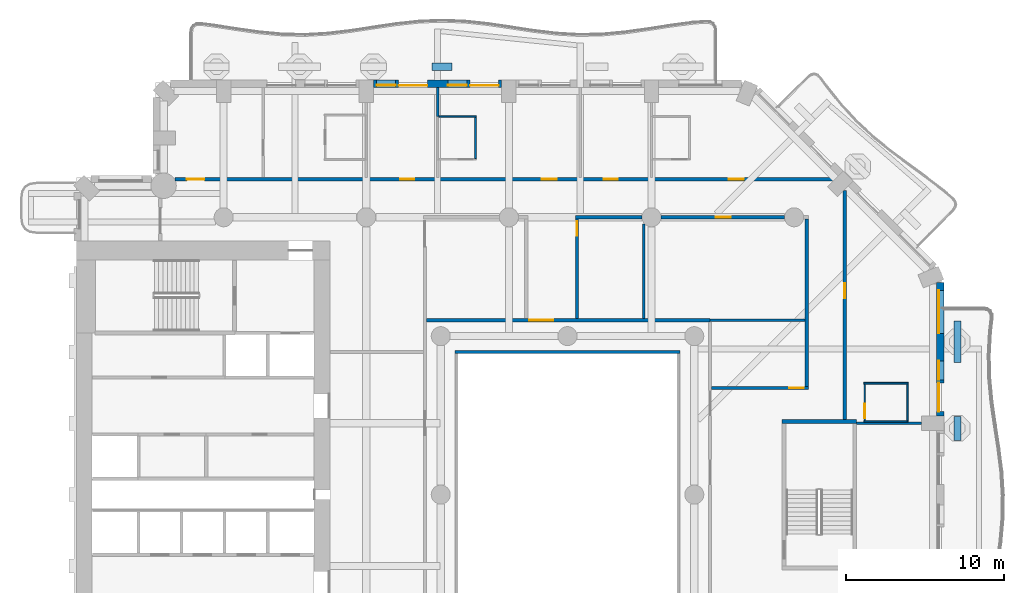
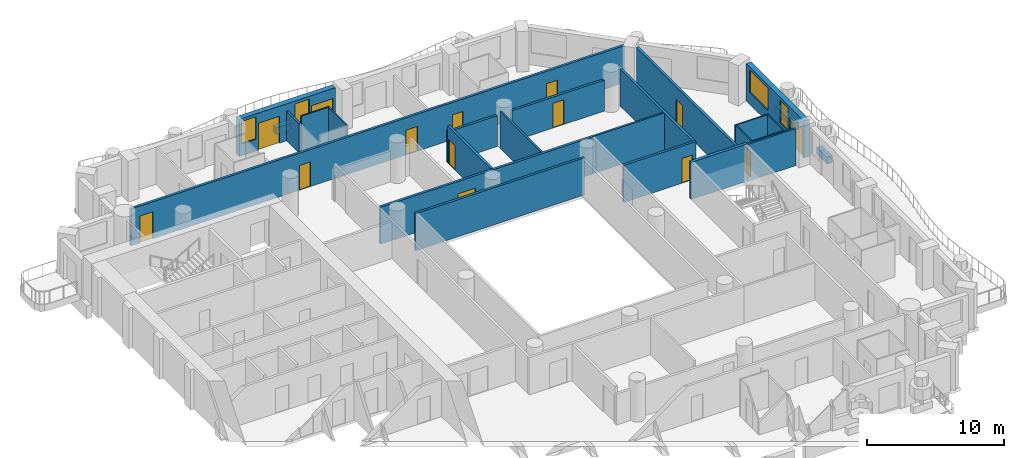
# One storey, part 8 of 19: 25 walls, 14 doors, 4 windows, 18 openings.
"""IFC4 building model written with IfcOpenShell, lengths in metres."""

from ifc_helpers import new_model, si_unit, direction, frame, frame_2d, origin, place, context, subcontext, project, spatial, rectangle, extrude, material, layer, layer_set, type_object, element, fill, save


model = new_model("IFC4")

# Units and contexts
model_context = context("Model", 3, precision=1e-05, world=origin(), true_north=direction((0.0, 1.0)))
body_context = subcontext(model_context, "Body", "Model", "MODEL_VIEW")
ifc_project = project(units=[si_unit("LENGTHUNIT", "METRE"), si_unit("AREAUNIT", "SQUARE_METRE"), si_unit("VOLUMEUNIT", "CUBIC_METRE"), si_unit("PLANEANGLEUNIT", "RADIAN"), si_unit("MASSUNIT", "GRAM", prefix="KILO")], contexts=[model_context])

# Site, building, storey
site_placement = place(None, origin())
site = spatial("IfcSite", under=ifc_project, at=site_placement, CompositionType="ELEMENT")
building_placement = place(site_placement, origin())
building = spatial("IfcBuilding", under=site, at=building_placement, Name="Cypress Arch Tower", CompositionType="ELEMENT")
storey_placement = place(building_placement, frame((0.0, 0.0, 98.699951171875)))
storey = spatial("IfcBuildingStorey", under=building, at=storey_placement, Name="L19", CompositionType="ELEMENT", Elevation=98.699951171875)

# Walls
ifc_material_1 = material(Name="Concrete C40/50, waterproofed", Category="concrete")
ifc_layer_1 = layer(ifc_material_1, 0.449951171875)
ifc_layer_set_1 = layer_set([ifc_layer_1], Name="Balcony planter wall PW450")
wall_type_1 = type_object("IfcWallType", Name="Balcony planter wall PW450", PredefinedType="SOLIDWALL", material=ifc_layer_set_1)
wall_1_placement = place(storey_placement, frame((25.60009765625, 3.42138671875, 0.0), z_axis=(0.0, 0.0, 1.0), x_axis=(0.0, 1.0, 0.0)))
element("IfcWall", 1, at=wall_1_placement, inside=storey, type_object=wall_type_1, Name="Balcony planter wall L19-A06.2", PredefinedType="SOLIDWALL", context=body_context, shape_type="SweptSolid", body=[
    extrude(rectangle(XDim=1.5224609375, YDim=0.449951171875, at=frame_2d((0.76123046875, 0.0))), origin(), (0.0, 0.0, 1.0), 0.60009765625),
])
wall_2_placement = place(storey_placement, frame((25.60009765625, 8.335693359375, 0.0), z_axis=(0.0, 0.0, 1.0), x_axis=(0.0, 1.0, 0.0)))
element("IfcWall", 2, at=wall_2_placement, inside=storey, type_object=wall_type_1, Name="Balcony planter wall L19-A06.3", PredefinedType="SOLIDWALL", context=body_context, shape_type="SweptSolid", body=[
    extrude(rectangle(XDim=2.6142578125, YDim=0.449951171875, at=frame_2d((1.30712890625, 0.0))), origin(), (0.0, 0.0, 1.0), 0.60009765625),
])
wall_3_placement = place(storey_placement, frame((-6.300048828125, 27.0, 0.0), z_axis=(0.0, 0.0, 1.0), x_axis=(-1.0, 0.0, 0.0)))
element("IfcWall", 3, at=wall_3_placement, inside=storey, type_object=wall_type_1, Name="Balcony planter wall L19-A08.3", PredefinedType="SOLIDWALL", context=body_context, shape_type="SweptSolid", body=[
    extrude(rectangle(XDim=1.25, YDim=0.449951171875, at=frame_2d((0.625, 0.0))), origin(), (0.0, 0.0, 1.0), 0.60009765625),
])

# Wall, openings, door, windows
ifc_material_2 = material(Name="Brick (red buff blend)", Category="masonry")
ifc_layer_2 = layer(ifc_material_2, 0.449951171875)
ifc_layer_set_2 = layer_set([ifc_layer_2], Name="Brick pier and spandrel wall BW450")
wall_type_2 = type_object("IfcWallType", Name="Brick pier and spandrel wall BW450", PredefinedType="SOLIDWALL", material=ifc_layer_set_2)
wall_4_placement = place(storey_placement, frame((24.52490234375, 4.949951171875, 0.0), z_axis=(0.0, 0.0, 1.0), x_axis=(0.0, 1.0, 0.0)))
wall_4 = element("IfcWall", 4, at=wall_4_placement, inside=storey, type_object=wall_type_2, Name="Brick wall L19 A06.3", PredefinedType="SOLIDWALL", context=body_context, shape_type="SweptSolid", body=[
    extrude(rectangle(XDim=8.438720703125, YDim=0.449951171875, at=frame_2d((4.21923828125, 0.0))), origin(), (0.0, 0.0, 1.0), 3.300048828125),
])
opening_1_placement = place(wall_4_placement, frame((0.2939453125, 0.0, 0.0)))
opening_1 = element("IfcOpeningElement", 5, at=opening_1_placement, cuts=wall_4, Name="Opening D-L19-A06.3.1", PredefinedType="OPENING", context=body_context, shape_type="SweptSolid", body=[
    extrude(rectangle(XDim=1.800048828125, YDim=2.39990234375, at=frame_2d((0.89990234375, 1.199951171875))), frame((0.0, 0.23486328125, 0.0), z_axis=(0.0, -1.0, 0.0), x_axis=(1.0, 0.0, 0.0)), (0.0, 0.0, 1.0), 0.469970703125),
])
opening_2_placement = place(wall_4_placement, frame((2.2939453125, 0.0, 1.050048828125)))
opening_2 = element("IfcOpeningElement", 6, at=opening_2_placement, cuts=wall_4, Name="Opening W120HD", PredefinedType="OPENING", context=body_context, shape_type="SweptSolid", body=[
    extrude(rectangle(XDim=1.199951171875, YDim=2.0, at=frame_2d((0.60009765625, 1.0))), frame((0.0, 0.23486328125, 0.0), z_axis=(0.0, -1.0, 0.0), x_axis=(1.0, 0.0, 0.0)), (0.0, 0.0, 1.0), 0.469970703125),
])
opening_3_placement = place(wall_4_placement, frame((5.231689453125, 0.0, 1.050048828125)))
opening_3 = element("IfcOpeningElement", 7, at=opening_3_placement, cuts=wall_4, Name="Opening W270HD", PredefinedType="OPENING", context=body_context, shape_type="SweptSolid", body=[
    extrude(rectangle(XDim=2.699951171875, YDim=2.0, at=frame_2d((1.35009765625, 1.0))), frame((0.0, 0.23486328125, 0.0), z_axis=(0.0, -1.0, 0.0), x_axis=(1.0, 0.0, 0.0)), (0.0, 0.0, 1.0), 0.469970703125),
])
ifc_material_3 = material(Name="Anodised aluminium, bronze finish, laminated low-emissivity double glazing, large-missile impact rated", Category="aluminium")
door_type_1 = type_object("IfcDoorType", Name="Balcony sliding door 1800x2400", OperationType="SLIDING_TO_LEFT", PredefinedType="DOOR", material=ifc_material_3)
door_1_placement = place(opening_1_placement, origin())
door_1 = element("IfcDoor", 8, at=door_1_placement, inside=storey, type_object=door_type_1, Name="Balcony door L19 A06.3.1", OperationType="SLIDING_TO_LEFT", OverallHeight=2.39990234375, OverallWidth=1.800048828125, PredefinedType="DOOR", context=body_context, shape_type="SweptSolid", body=[
    extrude(rectangle(XDim=1.800048828125, YDim=2.39990234375, at=frame_2d((0.89990234375, 1.199951171875))), frame((0.0, 0.1298828125, 0.0), z_axis=(0.0, -1.0, 0.0), x_axis=(1.0, 0.0, 0.0)), (0.0, 0.0, 1.0), 0.050048828125),
])
fill(opening_1, door_1)
ifc_material_4 = material(Name="Anodised aluminium, bronze finish, laminated low-emissivity double glazing, large-missile impact rated", Category="aluminium")
window_type_1 = type_object("IfcWindowType", Name="Window Hotel 1200x2000 debris-rated", PartitioningType="SINGLE_PANEL", PredefinedType="WINDOW", material=ifc_material_4)
window_1_placement = place(opening_2_placement, origin())
window_1 = element("IfcWindow", 9, at=window_1_placement, inside=storey, type_object=window_type_1, Name="Window L19 A06.3.1", OverallHeight=2.0, OverallWidth=1.199951171875, PartitioningType="SINGLE_PANEL", PredefinedType="WINDOW", context=body_context, shape_type="SweptSolid", body=[
    extrude(rectangle(XDim=1.199951171875, YDim=2.0, at=frame_2d((0.60009765625, 1.0))), frame((0.0, 0.135009765625, 0.0), z_axis=(0.0, -1.0, 0.0), x_axis=(1.0, 0.0, 0.0)), (0.0, 0.0, 1.0), 0.06005859375),
])
fill(opening_2, window_1)
ifc_material_5 = material(Name="Anodised aluminium, bronze finish, laminated low-emissivity double glazing, large-missile impact rated", Category="aluminium")
window_type_2 = type_object("IfcWindowType", Name="Window Hotel 2700x2000 debris-rated", PartitioningType="SINGLE_PANEL", PredefinedType="WINDOW", material=ifc_material_5)
window_2_placement = place(opening_3_placement, origin())
window_2 = element("IfcWindow", 10, at=window_2_placement, inside=storey, type_object=window_type_2, Name="Window L19 A06.3.2", OverallHeight=2.0, OverallWidth=2.699951171875, PartitioningType="SINGLE_PANEL", PredefinedType="WINDOW", context=body_context, shape_type="SweptSolid", body=[
    extrude(rectangle(XDim=2.699951171875, YDim=2.0, at=frame_2d((1.35009765625, 1.0))), frame((0.0, 0.135009765625, 0.0), z_axis=(0.0, -1.0, 0.0), x_axis=(1.0, 0.0, 0.0)), (0.0, 0.0, 1.0), 0.06005859375),
])
fill(opening_3, window_2)

# Wall, openings, doors, windows
wall_5_placement = place(storey_placement, frame((-3.14990234375, 25.925048828125, 0.0), z_axis=(0.0, 0.0, 1.0), x_axis=(-1.0, 0.0, 0.0)))
wall_5 = element("IfcWall", 11, at=wall_5_placement, inside=storey, type_object=wall_type_2, Name="Brick wall L19 A08.2", PredefinedType="SOLIDWALL", context=body_context, shape_type="SweptSolid", body=[
    extrude(rectangle(XDim=8.10009765625, YDim=0.449951171875, at=frame_2d((4.050048828125, 0.0))), origin(), (0.0, 0.0, 1.0), 3.300048828125),
])
opening_4_placement = place(wall_5_placement, frame((0.199951171875, 0.0, 0.0)))
opening_4 = element("IfcOpeningElement", 12, at=opening_4_placement, cuts=wall_5, Name="Opening D-L19-A08.2.1", PredefinedType="OPENING", context=body_context, shape_type="SweptSolid", body=[
    extrude(rectangle(XDim=1.800048828125, YDim=2.39990234375, at=frame_2d((0.89990234375, 1.199951171875))), frame((0.0, 0.23486328125, 0.0), z_axis=(0.0, -1.0, 0.0), x_axis=(1.0, 0.0, 0.0)), (0.0, 0.0, 1.0), 0.469970703125),
])
opening_5_placement = place(wall_5_placement, frame((2.199951171875, 0.0, 1.050048828125)))
opening_5 = element("IfcOpeningElement", 13, at=opening_5_placement, cuts=wall_5, Name="Opening W120HD", PredefinedType="OPENING", context=body_context, shape_type="SweptSolid", body=[
    extrude(rectangle(XDim=1.199951171875, YDim=2.0, at=frame_2d((0.60009765625, 1.0))), frame((0.0, 0.23486328125, 0.0), z_axis=(0.0, -1.0, 0.0), x_axis=(1.0, 0.0, 0.0)), (0.0, 0.0, 1.0), 0.469970703125),
])
opening_6_placement = place(wall_5_placement, frame((4.699951171875, 0.0, 0.0)))
opening_6 = element("IfcOpeningElement", 14, at=opening_6_placement, cuts=wall_5, Name="Opening D-L19-A08.2.2", PredefinedType="OPENING", context=body_context, shape_type="SweptSolid", body=[
    extrude(rectangle(XDim=1.800048828125, YDim=2.39990234375, at=frame_2d((0.89990234375, 1.199951171875))), frame((0.0, 0.23486328125, 0.0), z_axis=(0.0, -1.0, 0.0), x_axis=(1.0, 0.0, 0.0)), (0.0, 0.0, 1.0), 0.469970703125),
])
opening_7_placement = place(wall_5_placement, frame((6.699951171875, 0.0, 1.050048828125)))
opening_7 = element("IfcOpeningElement", 15, at=opening_7_placement, cuts=wall_5, Name="Opening W120HD", PredefinedType="OPENING", context=body_context, shape_type="SweptSolid", body=[
    extrude(rectangle(XDim=1.199951171875, YDim=2.0, at=frame_2d((0.60009765625, 1.0))), frame((0.0, 0.23486328125, 0.0), z_axis=(0.0, -1.0, 0.0), x_axis=(1.0, 0.0, 0.0)), (0.0, 0.0, 1.0), 0.469970703125),
])
door_2_placement = place(opening_4_placement, origin())
door_2 = element("IfcDoor", 16, at=door_2_placement, inside=storey, type_object=door_type_1, Name="Balcony door L19 A08.2.1", OperationType="SLIDING_TO_LEFT", OverallHeight=2.39990234375, OverallWidth=1.800048828125, PredefinedType="DOOR", context=body_context, shape_type="SweptSolid", body=[
    extrude(rectangle(XDim=1.800048828125, YDim=2.39990234375, at=frame_2d((0.89990234375, 1.199951171875))), frame((0.0, 0.1298828125, 0.0), z_axis=(0.0, -1.0, 0.0), x_axis=(1.0, 0.0, 0.0)), (0.0, 0.0, 1.0), 0.050048828125),
])
fill(opening_4, door_2)
door_3_placement = place(opening_6_placement, origin())
door_3 = element("IfcDoor", 17, at=door_3_placement, inside=storey, type_object=door_type_1, Name="Balcony door L19 A08.2.2", OperationType="SLIDING_TO_LEFT", OverallHeight=2.39990234375, OverallWidth=1.800048828125, PredefinedType="DOOR", context=body_context, shape_type="SweptSolid", body=[
    extrude(rectangle(XDim=1.800048828125, YDim=2.39990234375, at=frame_2d((0.89990234375, 1.199951171875))), frame((0.0, 0.1298828125, 0.0), z_axis=(0.0, -1.0, 0.0), x_axis=(1.0, 0.0, 0.0)), (0.0, 0.0, 1.0), 0.050048828125),
])
fill(opening_6, door_3)
window_3_placement = place(opening_5_placement, origin())
window_3 = element("IfcWindow", 18, at=window_3_placement, inside=storey, type_object=window_type_1, Name="Window L19 A08.2.1", OverallHeight=2.0, OverallWidth=1.199951171875, PartitioningType="SINGLE_PANEL", PredefinedType="WINDOW", context=body_context, shape_type="SweptSolid", body=[
    extrude(rectangle(XDim=1.199951171875, YDim=2.0, at=frame_2d((0.60009765625, 1.0))), frame((0.0, 0.135009765625, 0.0), z_axis=(0.0, -1.0, 0.0), x_axis=(1.0, 0.0, 0.0)), (0.0, 0.0, 1.0), 0.06005859375),
])
fill(opening_5, window_3)
window_4_placement = place(opening_7_placement, origin())
window_4 = element("IfcWindow", 19, at=window_4_placement, inside=storey, type_object=window_type_1, Name="Window L19 A08.2.2", OverallHeight=2.0, OverallWidth=1.199951171875, PartitioningType="SINGLE_PANEL", PredefinedType="WINDOW", context=body_context, shape_type="SweptSolid", body=[
    extrude(rectangle(XDim=1.199951171875, YDim=2.0, at=frame_2d((0.60009765625, 1.0))), frame((0.0, 0.135009765625, 0.0), z_axis=(0.0, -1.0, 0.0), x_axis=(1.0, 0.0, 0.0)), (0.0, 0.0, 1.0), 0.06005859375),
])
fill(opening_7, window_4)

# Wall, openings, doors
ifc_material_6 = material(Name="Concrete blockwork, plastered, rated", Category="masonry")
ifc_layer_3 = layer(ifc_material_6, 0.199951171875)
ifc_layer_set_3 = layer_set([ifc_layer_3], Name="Corridor wall FW200")
wall_type_3 = type_object("IfcWallType", Name="Corridor wall FW200", PredefinedType="PARTITIONING", material=ifc_layer_set_3)
wall_6_placement = place(storey_placement, frame((-23.765380859375, 19.89990234375, 0.0), z_axis=(0.0, 0.0, 1.0), x_axis=(1.0, 0.0, 0.0)))
wall_6 = element("IfcWall", 20, at=wall_6_placement, inside=storey, type_object=wall_type_3, Name="Corridor wall", PredefinedType="PARTITIONING", context=body_context, shape_type="SweptSolid", body=[
    extrude(rectangle(XDim=41.549072265625, YDim=0.199951171875, at=frame_2d((20.7744140625, 0.0))), origin(), (0.0, 0.0, 1.0), 3.300048828125),
])
opening_8_placement = place(wall_6_placement, frame((14.199951171875, 0.0, 0.0)))
opening_8 = element("IfcOpeningElement", 21, at=opening_8_placement, cuts=wall_6, Name="Opening D05", PredefinedType="OPENING", context=body_context, shape_type="SweptSolid", body=[
    extrude(rectangle(XDim=0.89990234375, YDim=2.199951171875, at=frame_2d((0.449951171875, 1.10009765625))), frame((0.0, 0.10986328125, 0.0), z_axis=(0.0, -1.0, 0.0), x_axis=(1.0, 0.0, 0.0)), (0.0, 0.0, 1.0), 0.219970703125),
])
opening_9_placement = place(wall_6_placement, frame((27.050048828125, 0.0, 0.0)))
opening_9 = element("IfcOpeningElement", 22, at=opening_9_placement, cuts=wall_6, Name="Opening D05", PredefinedType="OPENING", context=body_context, shape_type="SweptSolid", body=[
    extrude(rectangle(XDim=0.89990234375, YDim=2.199951171875, at=frame_2d((0.449951171875, 1.10009765625))), frame((0.0, 0.10986328125, 0.0), z_axis=(0.0, -1.0, 0.0), x_axis=(1.0, 0.0, 0.0)), (0.0, 0.0, 1.0), 0.219970703125),
])
opening_10_placement = place(wall_6_placement, frame((0.75, 0.0, 0.0)))
opening_10 = element("IfcOpeningElement", 23, at=opening_10_placement, cuts=wall_6, Name="Opening D01", PredefinedType="OPENING", context=body_context, shape_type="SweptSolid", body=[
    extrude(rectangle(XDim=1.10009765625, YDim=2.39990234375, at=frame_2d((0.550048828125, 1.199951171875))), frame((0.0, 0.10986328125, 0.0), z_axis=(0.0, -1.0, 0.0), x_axis=(1.0, 0.0, 0.0)), (0.0, 0.0, 1.0), 0.219970703125),
])
opening_11_placement = place(wall_6_placement, frame((23.14990234375, 0.0, 0.0)))
opening_11 = element("IfcOpeningElement", 24, at=opening_11_placement, cuts=wall_6, Name="Opening D02", PredefinedType="OPENING", context=body_context, shape_type="SweptSolid", body=[
    extrude(rectangle(XDim=0.949951171875, YDim=2.199951171875, at=frame_2d((0.47509765625, 1.10009765625))), frame((0.0, 0.10986328125, 0.0), z_axis=(0.0, -1.0, 0.0), x_axis=(1.0, 0.0, 0.0)), (0.0, 0.0, 1.0), 0.219970703125),
])
opening_12_placement = place(wall_6_placement, frame((34.949951171875, 0.0, 0.0)))
opening_12 = element("IfcOpeningElement", 25, at=opening_12_placement, cuts=wall_6, Name="Opening D02", PredefinedType="OPENING", context=body_context, shape_type="SweptSolid", body=[
    extrude(rectangle(XDim=0.949951171875, YDim=2.199951171875, at=frame_2d((0.47509765625, 1.10009765625))), frame((0.0, 0.10986328125, 0.0), z_axis=(0.0, -1.0, 0.0), x_axis=(1.0, 0.0, 0.0)), (0.0, 0.0, 1.0), 0.219970703125),
])
ifc_material_7 = material(Name="Timber flush door, fire resisting", Category="wood")
door_type_2 = type_object("IfcDoorType", Name="Room door D02 950x2200", OperationType="SINGLE_SWING_LEFT", PredefinedType="DOOR", material=ifc_material_7)
door_4_placement = place(opening_11_placement, origin())
door_4 = element("IfcDoor", 26, at=door_4_placement, inside=storey, type_object=door_type_2, Name="Room door", OperationType="SINGLE_SWING_RIGHT", OverallHeight=2.199951171875, OverallWidth=0.949951171875, PredefinedType="DOOR", context=body_context, shape_type="SweptSolid", body=[
    extrude(rectangle(XDim=0.949951171875, YDim=2.199951171875, at=frame_2d((0.47509765625, 1.10009765625))), frame((0.0, 0.02490234375, 0.0), z_axis=(0.0, -1.0, 0.0), x_axis=(1.0, 0.0, 0.0)), (0.0, 0.0, 1.0), 0.050048828125),
])
fill(opening_11, door_4)
door_5_placement = place(opening_12_placement, origin())
door_5 = element("IfcDoor", 27, at=door_5_placement, inside=storey, type_object=door_type_2, Name="Room door", OperationType="SINGLE_SWING_RIGHT", OverallHeight=2.199951171875, OverallWidth=0.949951171875, PredefinedType="DOOR", context=body_context, shape_type="SweptSolid", body=[
    extrude(rectangle(XDim=0.949951171875, YDim=2.199951171875, at=frame_2d((0.47509765625, 1.10009765625))), frame((0.0, 0.02490234375, 0.0), z_axis=(0.0, -1.0, 0.0), x_axis=(1.0, 0.0, 0.0)), (0.0, 0.0, 1.0), 0.050048828125),
])
fill(opening_12, door_5)
ifc_material_8 = material(Name="Timber flush door", Category="wood")
door_type_3 = type_object("IfcDoorType", Name="Service door D05 900x2200", OperationType="SINGLE_SWING_LEFT", PredefinedType="DOOR", material=ifc_material_8)
door_6_placement = place(opening_8_placement, origin())
door_6 = element("IfcDoor", 28, at=door_6_placement, inside=storey, type_object=door_type_3, Name="Service door", OperationType="SINGLE_SWING_RIGHT", OverallHeight=2.199951171875, OverallWidth=0.89990234375, PredefinedType="DOOR", context=body_context, shape_type="SweptSolid", body=[
    extrude(rectangle(XDim=0.89990234375, YDim=2.199951171875, at=frame_2d((0.449951171875, 1.10009765625))), frame((0.0, 0.02490234375, 0.0), z_axis=(0.0, -1.0, 0.0), x_axis=(1.0, 0.0, 0.0)), (0.0, 0.0, 1.0), 0.050048828125),
])
fill(opening_8, door_6)
door_7_placement = place(opening_9_placement, origin())
door_7 = element("IfcDoor", 29, at=door_7_placement, inside=storey, type_object=door_type_3, Name="Service door", OperationType="SINGLE_SWING_LEFT", OverallHeight=2.199951171875, OverallWidth=0.89990234375, PredefinedType="DOOR", context=body_context, shape_type="SweptSolid", body=[
    extrude(rectangle(XDim=0.89990234375, YDim=2.199951171875, at=frame_2d((0.449951171875, 1.10009765625))), frame((0.0, 0.02490234375, 0.0), z_axis=(0.0, -1.0, 0.0), x_axis=(1.0, 0.0, 0.0)), (0.0, 0.0, 1.0), 0.050048828125),
])
fill(opening_9, door_7)
ifc_material_9 = material(Name="Timber flush door, fire resisting, self-closing", Category="wood")
door_type_4 = type_object("IfcDoorType", Name="Unit entrance door D01 1100x2400", OperationType="SINGLE_SWING_LEFT", PredefinedType="DOOR", material=ifc_material_9)
door_8_placement = place(opening_10_placement, origin())
door_8 = element("IfcDoor", 30, at=door_8_placement, inside=storey, type_object=door_type_4, Name="Unit entrance door", OperationType="SINGLE_SWING_LEFT", OverallHeight=2.39990234375, OverallWidth=1.10009765625, PredefinedType="DOOR", context=body_context, shape_type="SweptSolid", body=[
    extrude(rectangle(XDim=1.10009765625, YDim=2.39990234375, at=frame_2d((0.550048828125, 1.199951171875))), frame((0.0, 0.02490234375, 0.0), z_axis=(0.0, -1.0, 0.0), x_axis=(1.0, 0.0, 0.0)), (0.0, 0.0, 1.0), 0.050048828125),
])
fill(opening_10, door_8)

# Wall, opening, door
wall_7_placement = place(storey_placement, frame((-7.89990234375, 11.0, 0.0), z_axis=(0.0, 0.0, 1.0), x_axis=(1.0, 0.0, 0.0)))
wall_7 = element("IfcWall", 31, at=wall_7_placement, inside=storey, type_object=wall_type_3, Name="Corridor wall", PredefinedType="PARTITIONING", context=body_context, shape_type="SweptSolid", body=[
    extrude(rectangle(XDim=17.89990234375, YDim=0.199951171875, at=frame_2d((8.949951171875, 0.0))), origin(), (0.0, 0.0, 1.0), 3.300048828125),
])
opening_13_placement = place(wall_7_placement, frame((6.5, 0.0, 0.0)))
opening_13 = element("IfcOpeningElement", 32, at=opening_13_placement, cuts=wall_7, Name="Opening D04", PredefinedType="OPENING", context=body_context, shape_type="SweptSolid", body=[
    extrude(rectangle(XDim=1.5, YDim=2.199951171875, at=frame_2d((0.75, 1.10009765625))), frame((0.0, 0.10986328125, 0.0), z_axis=(0.0, -1.0, 0.0), x_axis=(1.0, 0.0, 0.0)), (0.0, 0.0, 1.0), 0.219970703125),
])
ifc_material_10 = material(Name="Timber double door", Category="wood")
door_type_5 = type_object("IfcDoorType", Name="Double door D04 1500x2200", OperationType="DOUBLE_DOOR_SINGLE_SWING", PredefinedType="DOOR", material=ifc_material_10)
door_9_placement = place(opening_13_placement, origin())
door_9 = element("IfcDoor", 33, at=door_9_placement, inside=storey, type_object=door_type_5, Name="Double door", OperationType="DOUBLE_DOOR_SINGLE_SWING", OverallHeight=2.199951171875, OverallWidth=1.5, PredefinedType="DOOR", context=body_context, shape_type="SweptSolid", body=[
    extrude(rectangle(XDim=1.5, YDim=2.199951171875, at=frame_2d((0.75, 1.10009765625))), frame((0.0, 0.02490234375, 0.0), z_axis=(0.0, -1.0, 0.0), x_axis=(1.0, 0.0, 0.0)), (0.0, 0.0, 1.0), 0.050048828125),
])
fill(opening_13, door_9)

# Wall
wall_8_placement = place(storey_placement, frame((-6.10009765625, 9.0, 0.0), z_axis=(0.0, 0.0, 1.0), x_axis=(1.0, 0.0, 0.0)))
element("IfcWall", 34, at=wall_8_placement, inside=storey, type_object=wall_type_3, Name="Corridor wall", PredefinedType="PARTITIONING", context=body_context, shape_type="SweptSolid", body=[
    extrude(rectangle(XDim=14.2001953125, YDim=0.199951171875, at=frame_2d((7.10009765625, 0.0))), origin(), (0.0, 0.0, 1.0), 3.300048828125),
])

# Wall, opening, door
wall_9_placement = place(storey_placement, frame((1.60009765625, 11.10009765625, 0.0), z_axis=(0.0, 0.0, 1.0), x_axis=(0.0, 1.0, 0.0)))
wall_9 = element("IfcWall", 35, at=wall_9_placement, inside=storey, type_object=wall_type_3, Name="Corridor wall", PredefinedType="PARTITIONING", context=body_context, shape_type="SweptSolid", body=[
    extrude(rectangle(XDim=6.2998046875, YDim=0.199951171875, at=frame_2d((3.14990234375, 0.0))), origin(), (0.0, 0.0, 1.0), 3.300048828125),
])
opening_14_placement = place(wall_9_placement, frame((5.25, 0.0, 0.0)))
opening_14 = element("IfcOpeningElement", 36, at=opening_14_placement, cuts=wall_9, Name="Opening D05", PredefinedType="OPENING", context=body_context, shape_type="SweptSolid", body=[
    extrude(rectangle(XDim=0.89990234375, YDim=2.199951171875, at=frame_2d((0.449951171875, 1.10009765625))), frame((0.0, 0.10986328125, 0.0), z_axis=(0.0, -1.0, 0.0), x_axis=(1.0, 0.0, 0.0)), (0.0, 0.0, 1.0), 0.219970703125),
])
door_10_placement = place(opening_14_placement, origin())
door_10 = element("IfcDoor", 37, at=door_10_placement, inside=storey, type_object=door_type_3, Name="Service door", OperationType="SINGLE_SWING_LEFT", OverallHeight=2.199951171875, OverallWidth=0.89990234375, PredefinedType="DOOR", context=body_context, shape_type="SweptSolid", body=[
    extrude(rectangle(XDim=0.89990234375, YDim=2.199951171875, at=frame_2d((0.449951171875, 1.10009765625))), frame((0.0, 0.02490234375, 0.0), z_axis=(0.0, -1.0, 0.0), x_axis=(1.0, 0.0, 0.0)), (0.0, 0.0, 1.0), 0.050048828125),
])
fill(opening_14, door_10)

# Wall
wall_10_placement = place(storey_placement, frame((1.5, 17.5, 0.0), z_axis=(0.0, 0.0, 1.0), x_axis=(1.0, 0.0, 0.0)))
element("IfcWall", 38, at=wall_10_placement, inside=storey, type_object=wall_type_3, Name="Corridor wall", PredefinedType="PARTITIONING", context=body_context, shape_type="SweptSolid", body=[
    extrude(rectangle(XDim=4.199951171875, YDim=0.199951171875, at=frame_2d((2.10009765625, 0.0))), origin(), (0.0, 0.0, 1.0), 2.75),
])

# Wall, opening, door
wall_11_placement = place(storey_placement, frame((6.89990234375, 17.5, 0.0), z_axis=(0.0, 0.0, 1.0), x_axis=(1.0, 0.0, 0.0)))
wall_11 = element("IfcWall", 39, at=wall_11_placement, inside=storey, type_object=wall_type_3, Name="Corridor wall", PredefinedType="PARTITIONING", context=body_context, shape_type="SweptSolid", body=[
    extrude(rectangle(XDim=7.800048828125, YDim=0.199951171875, at=frame_2d((3.89990234375, 0.0))), origin(), (0.0, 0.0, 1.0), 2.75),
])
opening_15_placement = place(wall_11_placement, frame((3.449951171875, 0.0, 0.0)))
opening_15 = element("IfcOpeningElement", 40, at=opening_15_placement, cuts=wall_11, Name="Opening D02", PredefinedType="OPENING", context=body_context, shape_type="SweptSolid", body=[
    extrude(rectangle(XDim=0.949951171875, YDim=2.199951171875, at=frame_2d((0.47509765625, 1.10009765625))), frame((0.0, 0.10986328125, 0.0), z_axis=(0.0, -1.0, 0.0), x_axis=(1.0, 0.0, 0.0)), (0.0, 0.0, 1.0), 0.219970703125),
])
door_11_placement = place(opening_15_placement, origin())
door_11 = element("IfcDoor", 41, at=door_11_placement, inside=storey, type_object=door_type_2, Name="Room door", OperationType="SINGLE_SWING_LEFT", OverallHeight=2.199951171875, OverallWidth=0.949951171875, PredefinedType="DOOR", context=body_context, shape_type="SweptSolid", body=[
    extrude(rectangle(XDim=0.949951171875, YDim=2.199951171875, at=frame_2d((0.47509765625, 1.10009765625))), frame((0.0, 0.02490234375, 0.0), z_axis=(0.0, -1.0, 0.0), x_axis=(1.0, 0.0, 0.0)), (0.0, 0.0, 1.0), 0.050048828125),
])
fill(opening_15, door_11)

wall_12_placement = place(storey_placement, frame((10.10009765625, 6.72509765625, 0.0), z_axis=(0.0, 0.0, 1.0), x_axis=(1.0, 0.0, 0.0)))
wall_12 = element("IfcWall", 42, at=wall_12_placement, inside=storey, type_object=wall_type_3, Name="Corridor wall", PredefinedType="PARTITIONING", context=body_context, shape_type="SweptSolid", body=[
    extrude(rectangle(XDim=6.099853515625, YDim=0.199951171875, at=frame_2d((3.0498046875, 0.0))), origin(), (0.0, 0.0, 1.0), 3.300048828125),
])
opening_16_placement = place(wall_12_placement, frame((4.89990234375, 0.0, 0.0)))
opening_16 = element("IfcOpeningElement", 43, at=opening_16_placement, cuts=wall_12, Name="Opening D05", PredefinedType="OPENING", context=body_context, shape_type="SweptSolid", body=[
    extrude(rectangle(XDim=0.89990234375, YDim=2.199951171875, at=frame_2d((0.449951171875, 1.10009765625))), frame((0.0, 0.10986328125, 0.0), z_axis=(0.0, -1.0, 0.0), x_axis=(1.0, 0.0, 0.0)), (0.0, 0.0, 1.0), 0.219970703125),
])
door_12_placement = place(opening_16_placement, origin())
door_12 = element("IfcDoor", 44, at=door_12_placement, inside=storey, type_object=door_type_3, Name="Service door", OperationType="SINGLE_SWING_RIGHT", OverallHeight=2.199951171875, OverallWidth=0.89990234375, PredefinedType="DOOR", context=body_context, shape_type="SweptSolid", body=[
    extrude(rectangle(XDim=0.89990234375, YDim=2.199951171875, at=frame_2d((0.449951171875, 1.10009765625))), frame((0.0, 0.02490234375, 0.0), z_axis=(0.0, -1.0, 0.0), x_axis=(1.0, 0.0, 0.0)), (0.0, 0.0, 1.0), 0.050048828125),
])
fill(opening_16, door_12)

# Wall
wall_13_placement = place(storey_placement, frame((16.10009765625, 6.824951171875, 0.0), z_axis=(0.0, 0.0, 1.0), x_axis=(0.0, 1.0, 0.0)))
element("IfcWall", 45, at=wall_13_placement, inside=storey, type_object=wall_type_3, Name="Corridor wall", PredefinedType="PARTITIONING", context=body_context, shape_type="SweptSolid", body=[
    extrude(rectangle(XDim=10.574951171875, YDim=0.199951171875, at=frame_2d((5.28759765625, 0.0))), origin(), (0.0, 0.0, 1.0), 3.300048828125),
])

# Wall, opening, door
wall_14_placement = place(storey_placement, frame((18.5, 4.75, 0.0), z_axis=(0.0, 0.0, 1.0), x_axis=(0.0, 1.0, 0.0)))
wall_14 = element("IfcWall", 46, at=wall_14_placement, inside=storey, type_object=wall_type_3, Name="Corridor wall", PredefinedType="PARTITIONING", context=body_context, shape_type="SweptSolid", body=[
    extrude(rectangle(XDim=14.43359375, YDim=0.199951171875, at=frame_2d((7.216796875, 0.0))), origin(), (0.0, 0.0, 1.0), 3.300048828125),
])
opening_17_placement = place(wall_14_placement, frame((7.64990234375, 0.0, 0.0)))
opening_17 = element("IfcOpeningElement", 47, at=opening_17_placement, cuts=wall_14, Name="Opening D02", PredefinedType="OPENING", context=body_context, shape_type="SweptSolid", body=[
    extrude(rectangle(XDim=0.949951171875, YDim=2.199951171875, at=frame_2d((0.47509765625, 1.10009765625))), frame((0.0, 0.10986328125, 0.0), z_axis=(0.0, -1.0, 0.0), x_axis=(1.0, 0.0, 0.0)), (0.0, 0.0, 1.0), 0.219970703125),
])
door_13_placement = place(opening_17_placement, origin())
door_13 = element("IfcDoor", 48, at=door_13_placement, inside=storey, type_object=door_type_2, Name="Room door", OperationType="SINGLE_SWING_LEFT", OverallHeight=2.199951171875, OverallWidth=0.949951171875, PredefinedType="DOOR", context=body_context, shape_type="SweptSolid", body=[
    extrude(rectangle(XDim=0.949951171875, YDim=2.199951171875, at=frame_2d((0.47509765625, 1.10009765625))), frame((0.0, 0.02490234375, 0.0), z_axis=(0.0, -1.0, 0.0), x_axis=(1.0, 0.0, 0.0)), (0.0, 0.0, 1.0), 0.050048828125),
])
fill(opening_17, door_13)

# Walls
ifc_material_11 = material(Name="Blockwork, plastered both sides", Category="masonry")
ifc_layer_4 = layer(ifc_material_11, 0.14990234375)
ifc_layer_set_4 = layer_set([ifc_layer_4], Name="Partition PW150")
wall_type_4 = type_object("IfcWallType", Name="Partition PW150", PredefinedType="PARTITIONING", material=ifc_layer_set_4)
wall_15_placement = place(storey_placement, frame((-7.199951171875, 23.8701171875, 0.0), z_axis=(0.0, 0.0, 1.0), x_axis=(0.0, 1.0, 0.0)))
element("IfcWall", 49, at=wall_15_placement, inside=storey, type_object=wall_type_4, Name="Partition", PredefinedType="PARTITIONING", context=body_context, shape_type="SweptSolid", body=[
    extrude(rectangle(XDim=1.829833984375, YDim=0.14990234375, at=frame_2d((0.9150390625, 0.0))), origin(), (0.0, 0.0, 1.0), 2.650146484375),
])
wall_16_placement = place(storey_placement, frame((5.800048828125, 11.10009765625, 0.0), z_axis=(0.0, 0.0, 1.0), x_axis=(0.0, 1.0, 0.0)))
element("IfcWall", 50, at=wall_16_placement, inside=storey, type_object=wall_type_4, Name="Partition", PredefinedType="PARTITIONING", context=body_context, shape_type="SweptSolid", body=[
    extrude(rectangle(XDim=5.98876953125, YDim=0.14990234375, at=frame_2d((2.994384765625, 0.0))), origin(), (0.0, 0.0, 1.0), 3.300048828125),
])
wall_17_placement = place(storey_placement, frame((10.0, 11.0, 0.0), z_axis=(0.0, 0.0, 1.0), x_axis=(1.0, 0.0, 0.0)))
element("IfcWall", 51, at=wall_17_placement, inside=storey, type_object=wall_type_4, Name="Partition", PredefinedType="PARTITIONING", context=body_context, shape_type="SweptSolid", body=[
    extrude(rectangle(XDim=6.0, YDim=0.14990234375, at=frame_2d((3.0, 0.0))), origin(), (0.0, 0.0, 1.0), 3.300048828125),
])
wall_18_placement = place(storey_placement, frame((19.25, 4.5, 0.0), z_axis=(0.0, 0.0, 1.0), x_axis=(1.0, 0.0, 0.0)))
element("IfcWall", 52, at=wall_18_placement, inside=storey, type_object=wall_type_4, Name="Partition", PredefinedType="PARTITIONING", context=body_context, shape_type="SweptSolid", body=[
    extrude(rectangle(XDim=4.10009765625, YDim=0.14990234375, at=frame_2d((2.050048828125, 0.0))), origin(), (0.0, 0.0, 1.0), 3.300048828125),
])
ifc_material_12 = material(Name="Concrete C50/60", Category="concrete")
ifc_layer_5 = layer(ifc_material_12, 0.25)
ifc_layer_set_5 = layer_set([ifc_layer_5], Name="Stair enclosure wall SW250")
wall_type_5 = type_object("IfcWallType", Name="Stair enclosure wall SW250", PredefinedType="SHEAR", material=ifc_layer_set_5)
wall_19_placement = place(storey_placement, frame((14.550048828125, 4.625, 0.0), z_axis=(0.0, 0.0, 1.0), x_axis=(1.0, 0.0, 0.0)))
element("IfcWall", 53, at=wall_19_placement, inside=storey, type_object=wall_type_5, Name="Stair enclosure wall", PredefinedType="SHEAR", context=body_context, shape_type="SweptSolid", body=[
    extrude(rectangle(XDim=4.699951171875, YDim=0.25, at=frame_2d((2.35009765625, 0.0))), origin(), (0.0, 0.0, 1.0), 3.300048828125),
])
ifc_material_13 = material(Name="Moisture resistant board on steel studs, tiled", Category="steel")
ifc_layer_6 = layer(ifc_material_13, 0.10009765625)
ifc_layer_set_6 = layer_set([ifc_layer_6], Name="Wet wall PW100")
wall_type_6 = type_object("IfcWallType", Name="Wet wall PW100", PredefinedType="PARTITIONING", material=ifc_layer_set_6)
wall_20_placement = place(storey_placement, frame((-7.125, 23.85009765625, 0.0), z_axis=(0.0, 0.0, 1.0), x_axis=(1.0, 0.0, 0.0)))
element("IfcWall", 54, at=wall_20_placement, inside=storey, type_object=wall_type_6, Name="Wet wall", PredefinedType="PARTITIONING", context=body_context, shape_type="SweptSolid", body=[
    extrude(rectangle(XDim=2.37109375, YDim=0.10009765625, at=frame_2d((1.185546875, 0.0))), origin(), (0.0, 0.0, 1.0), 3.300048828125),
])
wall_21_placement = place(storey_placement, frame((-4.803955078125, 21.199951171875, 0.0), z_axis=(0.0, 0.0, 1.0), x_axis=(0.0, 1.0, 0.0)))
element("IfcWall", 55, at=wall_21_placement, inside=storey, type_object=wall_type_6, Name="Wet wall", PredefinedType="PARTITIONING", context=body_context, shape_type="SweptSolid", body=[
    extrude(rectangle(XDim=2.60009765625, YDim=0.10009765625, at=frame_2d((1.300048828125, 0.0))), origin(), (0.0, 0.0, 1.0), 3.300048828125),
])

# Wall, opening, door
wall_22_placement = place(storey_placement, frame((19.75, 4.675048828125, 0.0), z_axis=(0.0, 0.0, 1.0), x_axis=(0.0, 1.0, 0.0)))
wall_22 = element("IfcWall", 56, at=wall_22_placement, inside=storey, type_object=wall_type_6, Name="Wet wall", PredefinedType="PARTITIONING", context=body_context, shape_type="SweptSolid", body=[
    extrude(rectangle(XDim=2.300048828125, YDim=0.10009765625, at=frame_2d((1.14990234375, 0.0))), origin(), (0.0, 0.0, 1.0), 3.300048828125),
])
opening_18_placement = place(wall_22_placement, frame((0.14990234375, 0.0, 0.0)))
opening_18 = element("IfcOpeningElement", 57, at=opening_18_placement, cuts=wall_22, Name="Opening D03", PredefinedType="OPENING", context=body_context, shape_type="SweptSolid", body=[
    extrude(rectangle(XDim=0.89990234375, YDim=2.199951171875, at=frame_2d((0.449951171875, 1.10009765625))), frame((0.0, 0.06005859375, 0.0), z_axis=(0.0, -1.0, 0.0), x_axis=(1.0, 0.0, 0.0)), (0.0, 0.0, 1.0), 0.1201171875),
])
ifc_material_14 = material(Name="Timber flush door, moisture resistant", Category="wood")
door_type_6 = type_object("IfcDoorType", Name="Bathroom door D03 900x2200", OperationType="SINGLE_SWING_LEFT", PredefinedType="DOOR", material=ifc_material_14)
door_14_placement = place(opening_18_placement, origin())
door_14 = element("IfcDoor", 58, at=door_14_placement, inside=storey, type_object=door_type_6, Name="Bathroom door", OperationType="SINGLE_SWING_RIGHT", OverallHeight=2.199951171875, OverallWidth=0.89990234375, PredefinedType="DOOR", context=body_context, shape_type="SweptSolid", body=[
    extrude(rectangle(XDim=0.89990234375, YDim=2.199951171875, at=frame_2d((0.449951171875, 1.10009765625))), frame((0.0, 0.02490234375, 0.0), z_axis=(0.0, -1.0, 0.0), x_axis=(1.0, 0.0, 0.0)), (0.0, 0.0, 1.0), 0.050048828125),
])
fill(opening_18, door_14)

# Walls
for number, where, z_axis, x_axis, name in (
    (59, (19.700927734375, 4.625, 0.0), (0.0, 0.0, 1.0), (1.0, 0.0, 0.0), "Wet wall"),
    (60, (19.700927734375, 7.02490234375, 0.0), (0.0, 0.0, 1.0), (1.0, 0.0, 0.0), "Wet wall"),
):
    element("IfcWall", number, at=place(storey_placement, frame(where, z_axis=z_axis, x_axis=x_axis)), inside=storey, type_object=wall_type_6, Name=name, PredefinedType="PARTITIONING", context=body_context, shape_type="SweptSolid", body=[
        extrude(rectangle(XDim=2.800048828125, YDim=0.10009765625, at=frame_2d((1.39990234375, 0.0))), origin(), (0.0, 0.0, 1.0), 3.300048828125),
    ])
wall_23_placement = place(storey_placement, frame((22.449951171875, 4.675048828125, 0.0), z_axis=(0.0, 0.0, 1.0), x_axis=(0.0, 1.0, 0.0)))
element("IfcWall", 61, at=wall_23_placement, inside=storey, type_object=wall_type_6, Name="Wet wall", PredefinedType="PARTITIONING", context=body_context, shape_type="SweptSolid", body=[
    extrude(rectangle(XDim=2.300048828125, YDim=0.10009765625, at=frame_2d((1.14990234375, 0.0))), origin(), (0.0, 0.0, 1.0), 3.300048828125),
])

save(model, "model.ifc")
